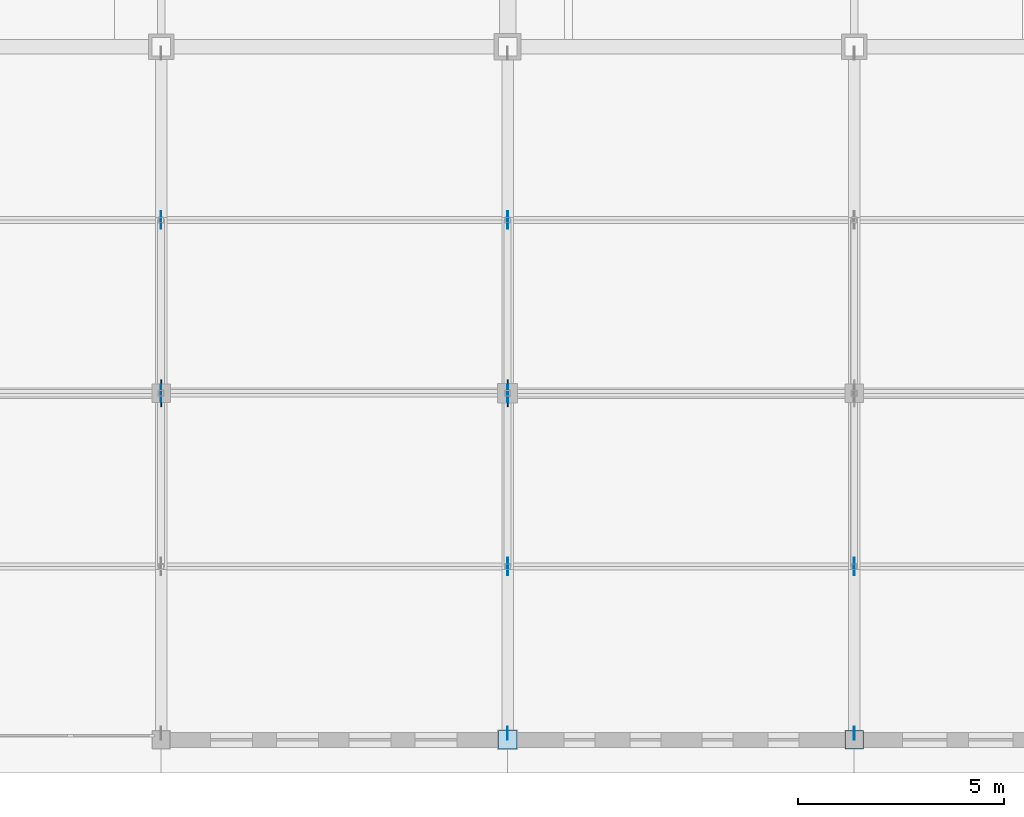
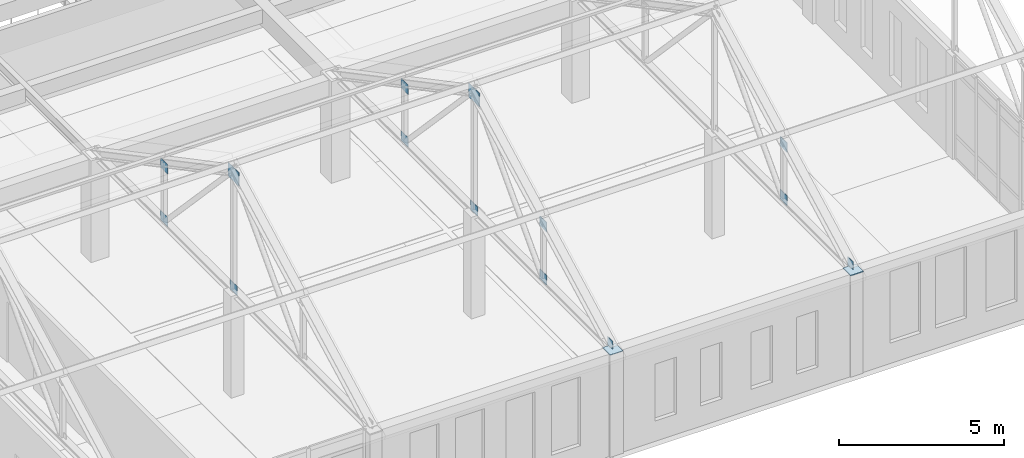
# One storey, part 28 of 47: 16 plates.
"""IFC4 building model written with IfcOpenShell, lengths in metres."""

from ifc_helpers import new_model, si_unit, direction, frame, origin, origin_2d, place, context, subcontext, project, spatial, rectangle, extrude, material, layer, layer_set, type_object, element, save


model = new_model("IFC4")

# Units and contexts
model_context = context("Model", 3, precision=1e-05, world=origin(), true_north=direction((0.0, 1.0)))
body_context = subcontext(model_context, "Body", "Model", "MODEL_VIEW")
ifc_project = project(units=[si_unit("LENGTHUNIT", "METRE"), si_unit("AREAUNIT", "SQUARE_METRE"), si_unit("VOLUMEUNIT", "CUBIC_METRE"), si_unit("PLANEANGLEUNIT", "RADIAN"), si_unit("MASSUNIT", "GRAM", prefix="KILO")], contexts=[model_context])

# Site, building, storey
site_placement = place(None, origin())
site = spatial("IfcSite", under=ifc_project, at=site_placement, CompositionType="ELEMENT")
building_placement = place(site_placement, origin())
building = spatial("IfcBuilding", under=site, at=building_placement, Name="Kveldsbrygga Polytechnic", CompositionType="ELEMENT")
storey_placement = place(building_placement, frame((0.0, 0.0, 13.93994140625)))
storey = spatial("IfcBuildingStorey", under=building, at=storey_placement, Name="L03", CompositionType="ELEMENT", Elevation=13.93994140625)

# Plates
ifc_material = material(Name="Steel S355", Category="steel")
ifc_layer_1 = layer(ifc_material, 0.030029296875)
ifc_layer_set_1 = layer_set([ifc_layer_1], Name="Steel S355")
plate_type_1 = type_object("IfcPlateType", Name="CAP-BEAR-450", PredefinedType="SHEET", material=ifc_layer_set_1)
for number, where, z_axis, x_axis, name in (
    (1, (151.199951171875, 0.0, 3.75), (0.0, 0.0, 1.0), (1.0, 0.0, 0.0), "Truss Bearing Plate V4S4-T04-A"),
    (2, (159.60009765625, 0.0, 3.75), (0.0, 0.0, 1.0), (1.0, 0.0, 0.0), "Truss Bearing Plate V4S4-T05-A"),
):
    element("IfcPlate", number, at=place(storey_placement, frame(where, z_axis=z_axis, x_axis=x_axis)), inside=storey, type_object=plate_type_1, Name=name, PredefinedType="SHEET", context=body_context, shape_type="SweptSolid", body=[
        extrude(rectangle(XDim=0.449951171875, YDim=0.449951171875, at=origin_2d()), origin(), (0.0, 0.0, 1.0), 0.030029296875),
    ])
ifc_layer_2 = layer(ifc_material, 0.02490234375)
ifc_layer_set_2 = layer_set([ifc_layer_2], Name="Steel S355")
plate_type_2 = type_object("IfcPlateType", Name="GUS-APEX-650", PredefinedType="SHEET", material=ifc_layer_set_2)
for number, where, z_axis, x_axis, name in (
    (3, (142.800048828125, 8.39990234375, 7.830078125), (0.0, 0.0, 1.0), (1.0, 0.0, 0.0), "Truss Gusset Plate V4S4-T03-GP-2"),
    (4, (151.199951171875, 8.39990234375, 7.830078125), (0.0, 0.0, 1.0), (1.0, 0.0, 0.0), "Truss Gusset Plate V4S4-T04-GP-2"),
):
    element("IfcPlate", number, at=place(storey_placement, frame(where, z_axis=z_axis, x_axis=x_axis)), inside=storey, type_object=plate_type_2, Name=name, PredefinedType="SHEET", context=body_context, shape_type="SweptSolid", body=[
        extrude(rectangle(XDim=0.02490234375, YDim=0.64990234375, at=origin_2d()), origin(), (0.0, 0.0, 1.0), 0.5),
    ])
ifc_layer_3 = layer(ifc_material, 0.01806640625)
ifc_layer_set_3 = layer_set([ifc_layer_3], Name="Steel S355")
plate_type_3 = type_object("IfcPlateType", Name="GUS-BRACE-320", PredefinedType="SHEET", material=ifc_layer_set_3)
for number, where, z_axis, x_axis, name in (
    (5, (151.199951171875, 0.159912109375, 3.740234375), (0.0, 0.0, 1.0), (1.0, 0.0, 0.0), "Truss Eaves Node Gusset V4S4-T04-EGP-A"),
    (6, (159.60009765625, 0.159912109375, 3.740234375), (0.0, 0.0, 1.0), (1.0, 0.0, 0.0), "Truss Eaves Node Gusset V4S4-T05-EGP-A"),
):
    element("IfcPlate", number, at=place(storey_placement, frame(where, z_axis=z_axis, x_axis=x_axis)), inside=storey, type_object=plate_type_3, Name=name, PredefinedType="SHEET", context=body_context, shape_type="SweptSolid", body=[
        extrude(rectangle(XDim=0.01806640625, YDim=0.320068359375, at=origin_2d()), origin(), (0.0, 0.0, 1.0), 0.320068359375),
    ])
ifc_layer_4 = layer(ifc_material, 0.02001953125)
ifc_layer_set_4 = layer_set([ifc_layer_4], Name="Steel S355")
plate_type_4 = type_object("IfcPlateType", Name="GUS-LECT-420", PredefinedType="SHEET", material=ifc_layer_set_4)
for number, where, z_axis, x_axis, name in (
    (7, (142.800048828125, 8.39990234375, 3.72509765625), (0.0, 0.0, 1.0), (1.0, 0.0, 0.0), "Truss Bottom-Chord Node Gusset V4S4-T03-BGP-2"),
    (8, (142.800048828125, 12.60009765625, 5.679931640625), (0.0, 0.0, 1.0), (1.0, 0.0, 0.0), "Truss Gusset Plate V4S4-T03-GP-3"),
    (9, (142.800048828125, 12.60009765625, 3.72509765625), (0.0, 0.0, 1.0), (1.0, 0.0, 0.0), "Truss Bottom-Chord Node Gusset V4S4-T03-BGP-3"),
    (10, (151.199951171875, 4.199951171875, 5.679931640625), (0.0, 0.0, 1.0), (1.0, 0.0, 0.0), "Truss Gusset Plate V4S4-T04-GP-1"),
    (11, (151.199951171875, 4.199951171875, 3.72509765625), (0.0, 0.0, 1.0), (1.0, 0.0, 0.0), "Truss Bottom-Chord Node Gusset V4S4-T04-BGP-1"),
    (12, (151.199951171875, 8.39990234375, 3.72509765625), (0.0, 0.0, 1.0), (1.0, 0.0, 0.0), "Truss Bottom-Chord Node Gusset V4S4-T04-BGP-2"),
    (13, (151.199951171875, 12.60009765625, 5.679931640625), (0.0, 0.0, 1.0), (1.0, 0.0, 0.0), "Truss Gusset Plate V4S4-T04-GP-3"),
    (14, (151.199951171875, 12.60009765625, 3.72509765625), (0.0, 0.0, 1.0), (1.0, 0.0, 0.0), "Truss Bottom-Chord Node Gusset V4S4-T04-BGP-3"),
    (15, (159.60009765625, 4.199951171875, 5.679931640625), (0.0, 0.0, 1.0), (1.0, 0.0, 0.0), "Truss Gusset Plate V4S4-T05-GP-1"),
    (16, (159.60009765625, 4.199951171875, 3.72509765625), (0.0, 0.0, 1.0), (1.0, 0.0, 0.0), "Truss Bottom-Chord Node Gusset V4S4-T05-BGP-1"),
):
    element("IfcPlate", number, at=place(storey_placement, frame(where, z_axis=z_axis, x_axis=x_axis)), inside=storey, type_object=plate_type_4, Name=name, PredefinedType="SHEET", context=body_context, shape_type="SweptSolid", body=[
        extrude(rectangle(XDim=0.02001953125, YDim=0.419921875, at=origin_2d()), origin(), (0.0, 0.0, 1.0), 0.35009765625),
    ])

save(model, "model.ifc")
